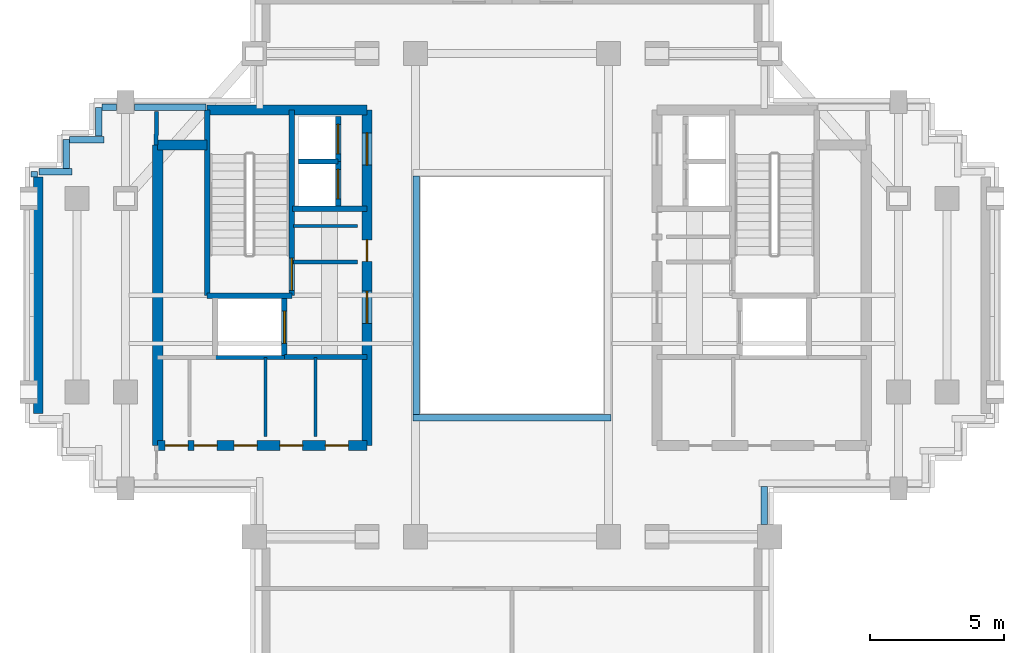
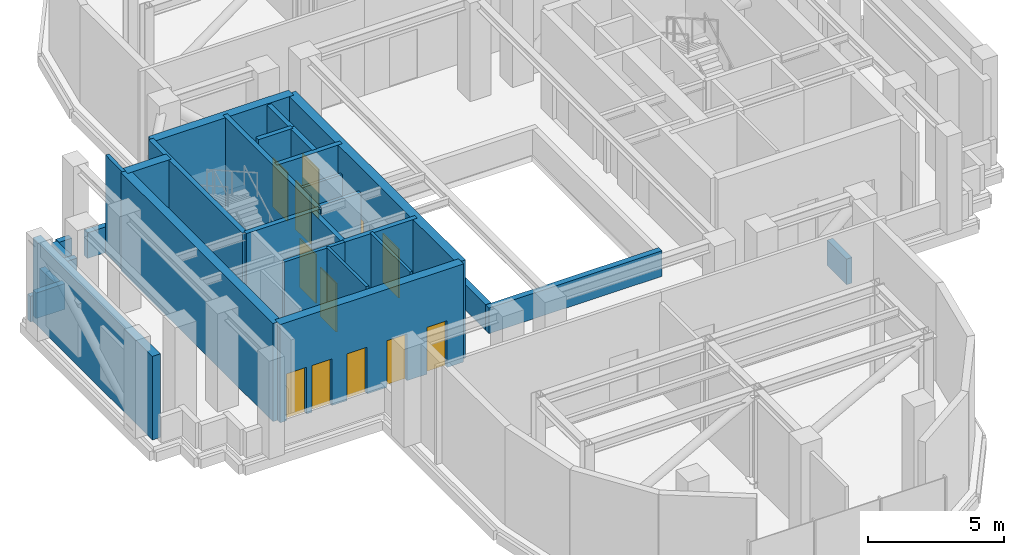
# One storey, part 6 of 11: 31 walls, 12 doors, 12 openings.
"""IFC4 building model written with IfcOpenShell, lengths in metres."""

from ifc_helpers import new_model, si_unit, direction, frame, frame_2d, origin, place, context, subcontext, project, spatial, rectangle, extrude, source, transform, mapped, material, layer, layer_set, type_object, element, fill, save


model = new_model("IFC4")

# Units and contexts
model_context = context("Model", 3, precision=1e-05, world=origin(), true_north=direction((0.0, 1.0)))
body_context = subcontext(model_context, "Body", "Model", "MODEL_VIEW")
ifc_project = project(units=[si_unit("LENGTHUNIT", "METRE"), si_unit("AREAUNIT", "SQUARE_METRE"), si_unit("VOLUMEUNIT", "CUBIC_METRE"), si_unit("PLANEANGLEUNIT", "RADIAN"), si_unit("MASSUNIT", "GRAM", prefix="KILO")], contexts=[model_context])

# Site, building, storey
site_placement = place(None, origin())
site = spatial("IfcSite", under=ifc_project, at=site_placement, CompositionType="ELEMENT")
building_placement = place(site_placement, origin())
building = spatial("IfcBuilding", under=site, at=building_placement, Name="Keilestroom Media Tower", CompositionType="ELEMENT")
storey_placement = place(building_placement, frame((0.0, 0.0, 214.800048828125)))
storey = spatial("IfcBuildingStorey", under=building, at=storey_placement, Name="L59", CompositionType="ELEMENT", Elevation=214.800048828125)

# Walls
ifc_material_1 = material(Name="Precast concrete C40/50", Category="concrete")
ifc_layer_1 = layer(ifc_material_1, 0.340087890625)
ifc_layer_set_1 = layer_set([ifc_layer_1], Name="Precast concrete C40/50")
wall_type_1 = type_object("IfcWallType", Name="Exterior-Masonry-Spandrel-Wall-340", PredefinedType="SOLIDWALL", material=ifc_layer_set_1)
wall_1_placement = place(storey_placement, frame((-17.64990234375, -4.39990234375, 0.0), z_axis=(0.0, 0.0, 1.0), x_axis=(0.0, 1.0, 0.0)))
element("IfcWall", 1, at=wall_1_placement, inside=storey, type_object=wall_type_1, Name="L59 Plant Masonry Screen Wall W", PredefinedType="SOLIDWALL", context=body_context, shape_type="SweptSolid", body=[
    extrude(rectangle(XDim=8.7998046875, YDim=0.340087890625, at=frame_2d((4.39990234375, 0.0))), origin(), (0.0, 0.0, 1.0), 3.760009765625),
])
ifc_material_2 = material(Name="Gypsum Plasterboard & Steel Stud", Category="steel")
ifc_layer_2 = layer(ifc_material_2, 0.1201171875)
ifc_layer_set_2 = layer_set([ifc_layer_2], Name="Gypsum Plasterboard & Steel Stud")
wall_type_2 = type_object("IfcWallType", Name="Interior-Partition-Wall-120", PredefinedType="PARTITIONING", material=ifc_layer_set_2)
wall_2_placement = place(storey_placement, frame((-8.139892578125, 2.580078125, 0.0), z_axis=(0.0, 0.0, 1.0), x_axis=(1.0, 0.0, 0.0)))
element("IfcWall", 2, at=wall_2_placement, inside=storey, type_object=wall_type_2, Name="L59 Interior Wall WP-L59-CNW-N", PredefinedType="PARTITIONING", context=body_context, shape_type="SweptSolid", body=[
    extrude(rectangle(XDim=2.389892578125, YDim=0.1201171875, at=frame_2d((1.19482421875, 0.0))), origin(), (0.0, 0.0, 1.0), 3.510009765625),
])
for number, where, z_axis, x_axis, name in (
    (3, (-9.179931640625, -5.260009765625, 0.0), (0.0, 0.0, 1.0), (0.0, 1.0, 0.0), "L59 Interior Wall WP-L59-RECMW-M1"),
    (4, (-7.320068359375, -5.260009765625, 0.0), (0.0, 0.0, 1.0), (0.0, 1.0, 0.0), "L59 Interior Wall WP-L59-RECMW-M2"),
):
    element("IfcWall", number, at=place(storey_placement, frame(where, z_axis=z_axis, x_axis=x_axis)), inside=storey, type_object=wall_type_2, Name=name, PredefinedType="PARTITIONING", context=body_context, shape_type="SweptSolid", body=[
        extrude(rectangle(XDim=2.93994140625, YDim=0.1201171875, at=frame_2d((1.469970703125, 0.0))), origin(), (0.0, 0.0, 1.0), 4.409912109375),
    ])
ifc_layer_3 = layer(ifc_material_2, 0.14990234375)
ifc_layer_set_3 = layer_set([ifc_layer_3], Name="Gypsum Plasterboard & Steel Stud")
wall_type_3 = type_object("IfcWallType", Name="Interior-Partition-Wall-150", PredefinedType="PARTITIONING", material=ifc_layer_set_3)
wall_3_placement = place(storey_placement, frame((-8.139892578125, 1.239990234375, 0.0), z_axis=(0.0, 0.0, 1.0), x_axis=(1.0, 0.0, 0.0)))
element("IfcWall", 5, at=wall_3_placement, inside=storey, type_object=wall_type_3, Name="L59 Interior Wall WP-L59-FFW-TOP", PredefinedType="PARTITIONING", context=body_context, shape_type="SweptSolid", body=[
    extrude(rectangle(XDim=2.389892578125, YDim=0.14990234375, at=frame_2d((1.19482421875, 0.0))), origin(), (0.0, 0.0, 1.0), 3.510009765625),
])
wall_4_placement = place(storey_placement, frame((-11.0400390625, -2.320068359375, 0.0), z_axis=(0.0, 0.0, 1.0), x_axis=(1.0, 0.0, 0.0)))
element("IfcWall", 6, at=wall_4_placement, inside=storey, type_object=wall_type_3, Name="L59 Interior Wall WP-L59-RECMW-N", PredefinedType="PARTITIONING", context=body_context, shape_type="SweptSolid", body=[
    extrude(rectangle(XDim=2.56005859375, YDim=0.14990234375, at=frame_2d((1.280029296875, 0.0))), origin(), (0.0, 0.0, 1.0), 4.409912109375),
])
wall_5_placement = place(storey_placement, frame((-13.260009765625, 5.60009765625, 0.0), z_axis=(0.0, 0.0, 1.0), x_axis=(0.016013571389, 0.999871774545, 0.0)))
element("IfcWall", 7, at=wall_5_placement, inside=storey, type_object=wall_type_3, Name="L59 Interior Wall WP-L59-REF-WNK", PredefinedType="PARTITIONING", context=body_context, shape_type="SweptSolid", body=[
    extrude(rectangle(XDim=1.250244140625, YDim=0.14990234375, at=frame_2d((0.625, 0.0))), origin(), (0.0, 0.0, 1.0), 4.409912109375),
])
ifc_material_3 = material(Name="Concrete C55/67", Category="concrete")
ifc_layer_4 = layer(ifc_material_3, 0.3798828125)
ifc_layer_set_4 = layer_set([ifc_layer_4], Name="Concrete C55/67")
wall_type_4 = type_object("IfcWallType", Name="Reinforced-Concrete-Core-Shear-Wall-380", PredefinedType="SHEAR", material=ifc_layer_set_4)
wall_6_placement = place(storey_placement, frame((-13.199951171875, -5.60009765625, 0.0), z_axis=(0.0, 0.0, 1.0), x_axis=(0.0, 1.0, 0.0)))
element("IfcWall", 8, at=wall_6_placement, inside=storey, type_object=wall_type_4, Name="L59 Core Shear Wall WL-L59-CORE-W-OUT", PredefinedType="SHEAR", context=body_context, shape_type="SweptSolid", body=[
    extrude(rectangle(XDim=11.2001953125, YDim=0.3798828125, at=frame_2d((5.60009765625, 0.0))), origin(), (0.0, 0.0, 1.0), 4.409912109375),
])

# Wall, openings, doors
wall_7_placement = place(storey_placement, frame((-5.39990234375, -5.60009765625, 0.0), z_axis=(0.0, 0.0, 1.0), x_axis=(0.0, 1.0, 0.0)))
wall_7 = element("IfcWall", 9, at=wall_7_placement, inside=storey, type_object=wall_type_4, Name="L59 Core Shear Wall WL-L59-CORE-W-IN", PredefinedType="SHEAR", context=body_context, shape_type="SweptSolid", body=[
    extrude(rectangle(XDim=12.5, YDim=0.3798828125, at=frame_2d((6.25, 0.0))), origin(), (0.0, 0.0, 1.0), 4.409912109375),
])
opening_1_placement = place(wall_7_placement, frame((4.550048828125, 0.0, 0.0)))
opening_1 = element("IfcOpeningElement", 10, at=opening_1_placement, cuts=wall_7, Name="Opening DI-02", PredefinedType="OPENING", context=body_context, shape_type="SweptSolid", body=[
    extrude(rectangle(XDim=1.199951171875, YDim=2.199951171875, at=frame_2d((0.60009765625, 1.10009765625))), frame((0.0, 0.199951171875, 0.0), z_axis=(0.0, -1.0, 0.0), x_axis=(1.0, 0.0, 0.0)), (0.0, 0.0, 1.0), 0.39990234375),
])
opening_2_placement = place(wall_7_placement, frame((10.449951171875, 0.0, 0.0)))
opening_2 = element("IfcOpeningElement", 11, at=opening_2_placement, cuts=wall_7, Name="Opening DI-02", PredefinedType="OPENING", context=body_context, shape_type="SweptSolid", body=[
    extrude(rectangle(XDim=1.199951171875, YDim=2.199951171875, at=frame_2d((0.60009765625, 1.10009765625))), frame((0.0, 0.199951171875, 0.0), z_axis=(0.0, -1.0, 0.0), x_axis=(1.0, 0.0, 0.0)), (0.0, 0.0, 1.0), 0.39990234375),
])
opening_3_placement = place(wall_7_placement, frame((6.860107421875, 0.0, 0.0)))
opening_3 = element("IfcOpeningElement", 12, at=opening_3_placement, cuts=wall_7, Name="Opening DI-06", PredefinedType="OPENING", context=body_context, shape_type="SweptSolid", body=[
    extrude(rectangle(XDim=0.800048828125, YDim=2.10009765625, at=frame_2d((0.39990234375, 1.050048828125))), frame((0.0, 0.199951171875, 0.0), z_axis=(0.0, -1.0, 0.0), x_axis=(1.0, 0.0, 0.0)), (0.0, 0.0, 1.0), 0.39990234375),
])
ifc_material_4 = material(Name="Powder-Coated Steel Fire Leaf", Category="steel")
door_type_1 = type_object("IfcDoorType", Name="Interior-Compartment-Fire-Door-DI-02", OperationType="NOTDEFINED", PredefinedType="DOOR", material=ifc_material_4)
shared_shape_1 = source(origin(), body_context, "Body", "SweptSolid", [
    extrude(rectangle(XDim=1.199951171875, YDim=2.199951171875, at=frame_2d((0.60009765625, 1.10009765625))), frame((0.0, 0.02490234375, 0.0), z_axis=(0.0, -1.0, 0.0), x_axis=(1.0, 0.0, 0.0)), (0.0, 0.0, 1.0), 0.050048828125),
])
door_1_placement = place(opening_1_placement, origin())
door_1 = element("IfcDoor", 13, at=door_1_placement, inside=storey, type_object=door_type_1, Name="L59 W Firefighting Lobby Door", OperationType="SINGLE_SWING_RIGHT", OverallHeight=2.199951171875, OverallWidth=1.199951171875, PredefinedType="DOOR", context=body_context, shape_type="MappedRepresentation", body=[
    mapped(shared_shape_1, transform((0.0, 0.0, 0.0), x_axis=(1.0, 0.0, 0.0), y_axis=(0.0, 1.0, 0.0), z_axis=(0.0, 0.0, 1.0), scale=1.0)),
])
fill(opening_1, door_1)
door_2_placement = place(opening_2_placement, origin())
door_2 = element("IfcDoor", 14, at=door_2_placement, inside=storey, type_object=door_type_1, Name="L59 W High-Rise Lift Lobby Door", OperationType="SINGLE_SWING_LEFT", OverallHeight=2.199951171875, OverallWidth=1.199951171875, PredefinedType="DOOR", context=body_context, shape_type="MappedRepresentation", body=[
    mapped(shared_shape_1, transform((0.0, 0.0, 0.0), x_axis=(1.0, 0.0, 0.0), y_axis=(0.0, 1.0, 0.0), z_axis=(0.0, 0.0, 1.0), scale=1.0)),
])
fill(opening_2, door_2)
ifc_material_5 = material(Name="Powder-Coated Steel Service Leaf", Category="steel")
door_type_2 = type_object("IfcDoorType", Name="Interior-Riser-Access-Door-DI-06", OperationType="NOTDEFINED", PredefinedType="DOOR", material=ifc_material_5)
shared_shape_2 = source(origin(), body_context, "Body", "SweptSolid", [
    extrude(rectangle(XDim=0.800048828125, YDim=2.10009765625, at=frame_2d((0.39990234375, 1.050048828125))), frame((0.0, 0.02490234375, 0.0), z_axis=(0.0, -1.0, 0.0), x_axis=(1.0, 0.0, 0.0)), (0.0, 0.0, 1.0), 0.050048828125),
])
door_3_placement = place(opening_3_placement, origin())
door_3 = element("IfcDoor", 15, at=door_3_placement, inside=storey, type_object=door_type_2, Name="L59 West Core Switchroom Door", OperationType="SINGLE_SWING_LEFT", OverallHeight=2.10009765625, OverallWidth=0.800048828125, PredefinedType="DOOR", context=body_context, shape_type="MappedRepresentation", body=[
    mapped(shared_shape_2, transform((0.0, 0.0, 0.0), x_axis=(1.0, 0.0, 0.0), y_axis=(0.0, 1.0, 0.0), z_axis=(0.0, 0.0, 1.0), scale=1.0)),
])
fill(opening_3, door_3)

# Walls
wall_8_placement = place(storey_placement, frame((-11.35595703125, 6.89990234375, 0.0), z_axis=(0.0, 0.0, 1.0), x_axis=(1.0, 0.0, 0.0)))
element("IfcWall", 16, at=wall_8_placement, inside=storey, type_object=wall_type_4, Name="L59 Core Shear Wall WL-L59-CORE-W-N", PredefinedType="SHEAR", context=body_context, shape_type="SweptSolid", body=[
    extrude(rectangle(XDim=5.9560546875, YDim=0.3798828125, at=frame_2d((2.97802734375, 0.0))), origin(), (0.0, 0.0, 1.0), 4.409912109375),
])
wall_9_placement = place(storey_placement, frame((-13.199951171875, 5.60009765625, 0.0), z_axis=(0.0, 0.0, 1.0), x_axis=(1.0, 0.0, 0.0)))
element("IfcWall", 17, at=wall_9_placement, inside=storey, type_object=wall_type_4, Name="L59 Core Shear Wall WL-L59-CNW-N", PredefinedType="SHEAR", context=body_context, shape_type="SweptSolid", body=[
    extrude(rectangle(XDim=1.843994140625, YDim=0.3798828125, at=frame_2d((0.921875, 0.0))), origin(), (0.0, 0.0, 1.0), 4.409912109375),
])

# Wall, openings, doors
wall_10_placement = place(storey_placement, frame((-13.199951171875, -5.60009765625, 0.0), z_axis=(0.0, 0.0, 1.0), x_axis=(1.0, 0.0, 0.0)))
wall_10 = element("IfcWall", 18, at=wall_10_placement, inside=storey, type_object=wall_type_4, Name="L59 Core Shear Wall WL-L59-CORE-W-S", PredefinedType="SHEAR", context=body_context, shape_type="SweptSolid", body=[
    extrude(rectangle(XDim=7.800048828125, YDim=0.3798828125, at=frame_2d((3.89990234375, 0.0))), origin(), (0.0, 0.0, 1.0), 4.409912109375),
])
opening_4_placement = place(wall_10_placement, frame((0.280029296875, 0.0, 0.0)))
opening_4 = element("IfcOpeningElement", 19, at=opening_4_placement, cuts=wall_10, Name="Opening DI-05", PredefinedType="OPENING", context=body_context, shape_type="SweptSolid", body=[
    extrude(rectangle(XDim=0.85009765625, YDim=2.10009765625, at=frame_2d((0.425048828125, 1.050048828125))), frame((0.0, 0.199951171875, 0.0), z_axis=(0.0, -1.0, 0.0), x_axis=(1.0, 0.0, 0.0)), (0.0, 0.0, 1.0), 0.39990234375),
])
opening_5_placement = place(wall_10_placement, frame((1.360107421875, 0.0, 0.0)))
opening_5 = element("IfcOpeningElement", 20, at=opening_5_placement, cuts=wall_10, Name="Opening DI-05", PredefinedType="OPENING", context=body_context, shape_type="SweptSolid", body=[
    extrude(rectangle(XDim=0.85009765625, YDim=2.10009765625, at=frame_2d((0.425048828125, 1.050048828125))), frame((0.0, 0.199951171875, 0.0), z_axis=(0.0, -1.0, 0.0), x_axis=(1.0, 0.0, 0.0)), (0.0, 0.0, 1.0), 0.39990234375),
])
opening_6_placement = place(wall_10_placement, frame((2.85009765625, 0.0, 0.0)))
opening_6 = element("IfcOpeningElement", 21, at=opening_6_placement, cuts=wall_10, Name="Opening DI-05", PredefinedType="OPENING", context=body_context, shape_type="SweptSolid", body=[
    extrude(rectangle(XDim=0.85009765625, YDim=2.10009765625, at=frame_2d((0.425048828125, 1.050048828125))), frame((0.0, 0.199951171875, 0.0), z_axis=(0.0, -1.0, 0.0), x_axis=(1.0, 0.0, 0.0)), (0.0, 0.0, 1.0), 0.39990234375),
])
opening_7_placement = place(wall_10_placement, frame((4.550048828125, 0.0, 0.0)))
opening_7 = element("IfcOpeningElement", 22, at=opening_7_placement, cuts=wall_10, Name="Opening DI-05", PredefinedType="OPENING", context=body_context, shape_type="SweptSolid", body=[
    extrude(rectangle(XDim=0.85009765625, YDim=2.10009765625, at=frame_2d((0.425048828125, 1.050048828125))), frame((0.0, 0.199951171875, 0.0), z_axis=(0.0, -1.0, 0.0), x_axis=(1.0, 0.0, 0.0)), (0.0, 0.0, 1.0), 0.39990234375),
])
opening_8_placement = place(wall_10_placement, frame((6.25, 0.0, 0.0)))
opening_8 = element("IfcOpeningElement", 23, at=opening_8_placement, cuts=wall_10, Name="Opening DI-05", PredefinedType="OPENING", context=body_context, shape_type="SweptSolid", body=[
    extrude(rectangle(XDim=0.85009765625, YDim=2.10009765625, at=frame_2d((0.425048828125, 1.050048828125))), frame((0.0, 0.199951171875, 0.0), z_axis=(0.0, -1.0, 0.0), x_axis=(1.0, 0.0, 0.0)), (0.0, 0.0, 1.0), 0.39990234375),
])
ifc_material_6 = material(Name="Moisture-Resistant Oak Leaf", Category="wood")
door_type_3 = type_object("IfcDoorType", Name="Interior-En-Suite-And-Cupboard-Door-DI-05", OperationType="NOTDEFINED", PredefinedType="DOOR", material=ifc_material_6)
shared_shape_3 = source(origin(), body_context, "Body", "SweptSolid", [
    extrude(rectangle(XDim=0.85009765625, YDim=2.10009765625, at=frame_2d((0.425048828125, 1.050048828125))), frame((0.0, 0.02490234375, 0.0), z_axis=(0.0, -1.0, 0.0), x_axis=(1.0, 0.0, 0.0)), (0.0, 0.0, 1.0), 0.050048828125),
])
door_4_placement = place(opening_4_placement, origin())
door_4 = element("IfcDoor", 24, at=door_4_placement, inside=storey, type_object=door_type_3, Name="L59 Reclaimed West Closet 1 Door", OperationType="SINGLE_SWING_LEFT", OverallHeight=2.10009765625, OverallWidth=0.85009765625, PredefinedType="DOOR", context=body_context, shape_type="MappedRepresentation", body=[
    mapped(shared_shape_3, transform((0.0, 0.0, 0.0), x_axis=(1.0, 0.0, 0.0), y_axis=(0.0, 1.0, 0.0), z_axis=(0.0, 0.0, 1.0), scale=1.0)),
])
fill(opening_4, door_4)
door_5_placement = place(opening_5_placement, origin())
door_5 = element("IfcDoor", 25, at=door_5_placement, inside=storey, type_object=door_type_3, Name="L59 Reclaimed West Closet 2 Door", OperationType="SINGLE_SWING_RIGHT", OverallHeight=2.10009765625, OverallWidth=0.85009765625, PredefinedType="DOOR", context=body_context, shape_type="MappedRepresentation", body=[
    mapped(shared_shape_3, transform((0.0, 0.0, 0.0), x_axis=(1.0, 0.0, 0.0), y_axis=(0.0, 1.0, 0.0), z_axis=(0.0, 0.0, 1.0), scale=1.0)),
])
fill(opening_5, door_5)
door_6_placement = place(opening_6_placement, origin())
door_6 = element("IfcDoor", 26, at=door_6_placement, inside=storey, type_object=door_type_3, Name="L59 Reclaimed Mid West Room 1 Door", OperationType="SINGLE_SWING_LEFT", OverallHeight=2.10009765625, OverallWidth=0.85009765625, PredefinedType="DOOR", context=body_context, shape_type="MappedRepresentation", body=[
    mapped(shared_shape_3, transform((0.0, 0.0, 0.0), x_axis=(1.0, 0.0, 0.0), y_axis=(0.0, 1.0, 0.0), z_axis=(0.0, 0.0, 1.0), scale=1.0)),
])
fill(opening_6, door_6)
door_7_placement = place(opening_7_placement, origin())
door_7 = element("IfcDoor", 27, at=door_7_placement, inside=storey, type_object=door_type_3, Name="L59 Reclaimed Mid West Room 2 Door", OperationType="SINGLE_SWING_LEFT", OverallHeight=2.10009765625, OverallWidth=0.85009765625, PredefinedType="DOOR", context=body_context, shape_type="MappedRepresentation", body=[
    mapped(shared_shape_3, transform((0.0, 0.0, 0.0), x_axis=(1.0, 0.0, 0.0), y_axis=(0.0, 1.0, 0.0), z_axis=(0.0, 0.0, 1.0), scale=1.0)),
])
fill(opening_7, door_7)
door_8_placement = place(opening_8_placement, origin())
door_8 = element("IfcDoor", 28, at=door_8_placement, inside=storey, type_object=door_type_3, Name="L59 Reclaimed Mid West Room 3 Door", OperationType="SINGLE_SWING_RIGHT", OverallHeight=2.10009765625, OverallWidth=0.85009765625, PredefinedType="DOOR", context=body_context, shape_type="MappedRepresentation", body=[
    mapped(shared_shape_3, transform((0.0, 0.0, 0.0), x_axis=(1.0, 0.0, 0.0), y_axis=(0.0, 1.0, 0.0), z_axis=(0.0, 0.0, 1.0), scale=1.0)),
])
fill(opening_8, door_8)

# Walls
ifc_material_7 = material(Name="Concrete C50/60", Category="concrete")
ifc_layer_5 = layer(ifc_material_7, 0.199951171875)
ifc_layer_set_5 = layer_set([ifc_layer_5], Name="Concrete C50/60")
wall_type_5 = type_object("IfcWallType", Name="Reinforced-Concrete-Shaft-Wall-200", PredefinedType="SOLIDWALL", material=ifc_layer_set_5)
wall_11_placement = place(storey_placement, frame((-8.179931640625, 3.219970703125, 0.0), z_axis=(0.0, 0.0, 1.0), x_axis=(1.0, 0.0, 0.0)))
element("IfcWall", 29, at=wall_11_placement, inside=storey, type_object=wall_type_5, Name="L59 Core Shear Wall WL-L59-CORE-W-FFN", PredefinedType="SOLIDWALL", context=body_context, shape_type="SweptSolid", body=[
    extrude(rectangle(XDim=2.780029296875, YDim=0.199951171875, at=frame_2d((1.39013671875, 0.0))), origin(), (0.0, 0.0, 1.0), 4.409912109375),
])
wall_12_placement = place(storey_placement, frame((-8.47998046875, -2.300048828125, 0.0), z_axis=(0.0, 0.0, 1.0), x_axis=(1.0, 0.0, 0.0)))
element("IfcWall", 30, at=wall_12_placement, inside=storey, type_object=wall_type_5, Name="L59 Core Shear Wall WL-L59-CORE-W-FFS", PredefinedType="SOLIDWALL", context=body_context, shape_type="SweptSolid", body=[
    extrude(rectangle(XDim=3.080078125, YDim=0.199951171875, at=frame_2d((1.5400390625, 0.0))), origin(), (0.0, 0.0, 1.0), 4.409912109375),
])

# Wall, opening, door
wall_13_placement = place(storey_placement, frame((-8.2041015625, -0.01611328125, 0.0), z_axis=(0.0, 0.0, 1.0), x_axis=(0.0, 1.0, 0.0)))
wall_13 = element("IfcWall", 31, at=wall_13_placement, inside=storey, type_object=wall_type_5, Name="L59 Core Shear Wall WL-L59-STW-W-NEAR", PredefinedType="SOLIDWALL", context=body_context, shape_type="SweptSolid", body=[
    extrude(rectangle(XDim=6.916015625, YDim=0.199951171875, at=frame_2d((3.4580078125, 0.0))), origin(), (0.0, 0.0, 1.0), 4.409912109375),
])
opening_9_placement = place(wall_13_placement, frame((0.199951171875, 0.0, 0.0)))
opening_9 = element("IfcOpeningElement", 32, at=opening_9_placement, cuts=wall_13, Name="Opening DI-01S", PredefinedType="OPENING", context=body_context, shape_type="SweptSolid", body=[
    extrude(rectangle(XDim=1.199951171875, YDim=2.199951171875, at=frame_2d((0.60009765625, 1.10009765625))), frame((0.0, 0.10986328125, 0.0), z_axis=(0.0, -1.0, 0.0), x_axis=(1.0, 0.0, 0.0)), (0.0, 0.0, 1.0), 0.219970703125),
])
door_type_4 = type_object("IfcDoorType", Name="Interior-Stair-And-Core-Fire-Door-DI-01", OperationType="NOTDEFINED", PredefinedType="DOOR", material=ifc_material_4)
door_9_placement = place(opening_9_placement, origin())
door_9 = element("IfcDoor", 33, at=door_9_placement, inside=storey, type_object=door_type_4, Name="L59 Escape Stair ST-1 Fire Door", OperationType="SINGLE_SWING_LEFT", OverallHeight=2.199951171875, OverallWidth=1.199951171875, PredefinedType="DOOR", context=body_context, shape_type="MappedRepresentation", body=[
    mapped(shared_shape_1, transform((0.0, 0.0, 0.0), x_axis=(1.0, 0.0, 0.0), y_axis=(0.0, 1.0, 0.0), z_axis=(0.0, 0.0, 1.0), scale=1.0)),
])
fill(opening_9, door_9)

# Walls
wall_14_placement = place(storey_placement, frame((-11.35595703125, -0.01611328125, 0.0), z_axis=(0.0, 0.0, 1.0), x_axis=(0.0, 1.0, 0.0)))
element("IfcWall", 34, at=wall_14_placement, inside=storey, type_object=wall_type_5, Name="L59 Core Shear Wall WL-L59-STW-W-FAR", PredefinedType="SOLIDWALL", context=body_context, shape_type="SweptSolid", body=[
    extrude(rectangle(XDim=6.916015625, YDim=0.199951171875, at=frame_2d((3.4580078125, 0.0))), origin(), (0.0, 0.0, 1.0), 4.409912109375),
])
wall_15_placement = place(storey_placement, frame((-11.35595703125, -0.01611328125, 0.0), z_axis=(0.0, 0.0, 1.0), x_axis=(1.0, 0.0, 0.0)))
element("IfcWall", 35, at=wall_15_placement, inside=storey, type_object=wall_type_5, Name="L59 Core Shear Wall WL-L59-STW-W-S", PredefinedType="SOLIDWALL", context=body_context, shape_type="SweptSolid", body=[
    extrude(rectangle(XDim=3.15185546875, YDim=0.199951171875, at=frame_2d((1.575927734375, 0.0))), origin(), (0.0, 0.0, 1.0), 4.409912109375),
])

# Wall, opening, door
wall_16_placement = place(storey_placement, frame((-8.47998046875, -2.280029296875, 0.0), z_axis=(0.0, 0.0, 1.0), x_axis=(0.0, 1.0, 0.0)))
wall_16 = element("IfcWall", 36, at=wall_16_placement, inside=storey, type_object=wall_type_5, Name="L59 Core Shear Wall WL-L59-LSH-FFL-1-E", PredefinedType="SOLIDWALL", context=body_context, shape_type="SweptSolid", body=[
    extrude(rectangle(XDim=2.179931640625, YDim=0.199951171875, at=frame_2d((1.08984375, 0.0))), origin(), (0.0, 0.0, 1.0), 4.409912109375),
])
opening_10_placement = place(wall_16_placement, frame((0.489990234375, 0.0, 0.0)))
opening_10 = element("IfcOpeningElement", 37, at=opening_10_placement, cuts=wall_16, Name="Opening LD-02", PredefinedType="OPENING", context=body_context, shape_type="SweptSolid", body=[
    extrude(rectangle(XDim=1.199951171875, YDim=2.199951171875, at=frame_2d((0.60009765625, 1.10009765625))), frame((0.0, 0.10986328125, 0.0), z_axis=(0.0, -1.0, 0.0), x_axis=(1.0, 0.0, 0.0)), (0.0, 0.0, 1.0), 0.219970703125),
])
ifc_material_8 = material(Name="Brushed Stainless Steel Sliding Leaf", Category="steel")
door_type_5 = type_object("IfcDoorType", Name="Lift-Landing-Sliding-Door-LD-02", OperationType="SLIDING_TO_RIGHT", PredefinedType="DOOR", material=ifc_material_8)
door_10_placement = place(opening_10_placement, origin())
door_10 = element("IfcDoor", 38, at=door_10_placement, inside=storey, type_object=door_type_5, Name="L59 Lift FFL-1 Landing Sliding Door", OperationType="SLIDING_TO_RIGHT", OverallHeight=2.199951171875, OverallWidth=1.199951171875, PredefinedType="DOOR", context=body_context, shape_type="MappedRepresentation", body=[
    mapped(shared_shape_1, transform((0.0, 0.0, 0.0), x_axis=(1.0, 0.0, 0.0), y_axis=(0.0, 1.0, 0.0), z_axis=(0.0, 0.0, 1.0), scale=1.0)),
])
fill(opening_10, door_10)

wall_17_placement = place(storey_placement, frame((-6.47998046875, 3.300048828125, 0.0), z_axis=(0.0, 0.0, 1.0), x_axis=(0.0, 1.0, 0.0)))
wall_17 = element("IfcWall", 39, at=wall_17_placement, inside=storey, type_object=wall_type_5, Name="L59 Core Shear Wall WL-L59-LSH-PL-H1-E", PredefinedType="SOLIDWALL", context=body_context, shape_type="SweptSolid", body=[
    extrude(rectangle(XDim=1.679931640625, YDim=0.199951171875, at=frame_2d((0.83984375, 0.0))), origin(), (0.0, 0.0, 1.0), 4.409912109375),
])
opening_11_placement = place(wall_17_placement, frame((0.2900390625, 0.0, 0.0)))
opening_11 = element("IfcOpeningElement", 40, at=opening_11_placement, cuts=wall_17, Name="Opening LD-01", PredefinedType="OPENING", context=body_context, shape_type="SweptSolid", body=[
    extrude(rectangle(XDim=1.10009765625, YDim=2.199951171875, at=frame_2d((0.550048828125, 1.10009765625))), frame((0.0, 0.10986328125, 0.0), z_axis=(0.0, -1.0, 0.0), x_axis=(1.0, 0.0, 0.0)), (0.0, 0.0, 1.0), 0.219970703125),
])
door_type_6 = type_object("IfcDoorType", Name="Lift-Landing-Sliding-Door-LD-01", OperationType="SLIDING_TO_LEFT", PredefinedType="DOOR", material=ifc_material_8)
shared_shape_4 = source(origin(), body_context, "Body", "SweptSolid", [
    extrude(rectangle(XDim=1.10009765625, YDim=2.199951171875, at=frame_2d((0.550048828125, 1.10009765625))), frame((0.0, 0.02490234375, 0.0), z_axis=(0.0, -1.0, 0.0), x_axis=(1.0, 0.0, 0.0)), (0.0, 0.0, 1.0), 0.050048828125),
])
door_11_placement = place(opening_11_placement, origin())
door_11 = element("IfcDoor", 41, at=door_11_placement, inside=storey, type_object=door_type_6, Name="L59 Lift PL-H1 Landing Sliding Door", OperationType="SLIDING_TO_LEFT", OverallHeight=2.199951171875, OverallWidth=1.10009765625, PredefinedType="DOOR", context=body_context, shape_type="MappedRepresentation", body=[
    mapped(shared_shape_4, transform((0.0, 0.0, 0.0), x_axis=(1.0, 0.0, 0.0), y_axis=(0.0, 1.0, 0.0), z_axis=(0.0, 0.0, 1.0), scale=1.0)),
])
fill(opening_11, door_11)

# Wall
wall_18_placement = place(storey_placement, frame((-7.949951171875, 4.97998046875, 0.0), z_axis=(0.0, 0.0, 1.0), x_axis=(1.0, 0.0, 0.0)))
element("IfcWall", 42, at=wall_18_placement, inside=storey, type_object=wall_type_5, Name="L59 Core Shear Wall WL-L59-LSH-PL-H1-N", PredefinedType="SOLIDWALL", context=body_context, shape_type="SweptSolid", body=[
    extrude(rectangle(XDim=1.469970703125, YDim=0.199951171875, at=frame_2d((0.73486328125, 0.0))), origin(), (0.0, 0.0, 1.0), 4.409912109375),
])

# Wall, opening, door
wall_19_placement = place(storey_placement, frame((-6.47998046875, 4.97998046875, 0.0), z_axis=(0.0, 0.0, 1.0), x_axis=(0.0, 1.0, 0.0)))
wall_19 = element("IfcWall", 43, at=wall_19_placement, inside=storey, type_object=wall_type_5, Name="L59 Core Shear Wall WL-L59-LSH-PL-H2-E", PredefinedType="SOLIDWALL", context=body_context, shape_type="SweptSolid", body=[
    extrude(rectangle(XDim=1.669921875, YDim=0.199951171875, at=frame_2d((0.8349609375, 0.0))), origin(), (0.0, 0.0, 1.0), 4.409912109375),
])
opening_12_placement = place(wall_19_placement, frame((0.284912109375, 0.0, 0.0)))
opening_12 = element("IfcOpeningElement", 44, at=opening_12_placement, cuts=wall_19, Name="Opening LD-01", PredefinedType="OPENING", context=body_context, shape_type="SweptSolid", body=[
    extrude(rectangle(XDim=1.10009765625, YDim=2.199951171875, at=frame_2d((0.550048828125, 1.10009765625))), frame((0.0, 0.10986328125, 0.0), z_axis=(0.0, -1.0, 0.0), x_axis=(1.0, 0.0, 0.0)), (0.0, 0.0, 1.0), 0.219970703125),
])
door_12_placement = place(opening_12_placement, origin())
door_12 = element("IfcDoor", 45, at=door_12_placement, inside=storey, type_object=door_type_6, Name="L59 Lift PL-H2 Landing Sliding Door", OperationType="SLIDING_TO_LEFT", OverallHeight=2.199951171875, OverallWidth=1.10009765625, PredefinedType="DOOR", context=body_context, shape_type="MappedRepresentation", body=[
    mapped(shared_shape_4, transform((0.0, 0.0, 0.0), x_axis=(1.0, 0.0, 0.0), y_axis=(0.0, 1.0, 0.0), z_axis=(0.0, 0.0, 1.0), scale=1.0)),
])
fill(opening_12, door_12)

# Walls
ifc_layer_6 = layer(ifc_material_1, 0.239990234375)
ifc_layer_set_6 = layer_set([ifc_layer_6], Name="Precast concrete C40/50")
wall_type_6 = type_object("IfcWallType", Name="Roof-And-Terrace-Parapet-Wall-240", PredefinedType="PARAPET", material=ifc_layer_set_6)
wall_20_placement = place(storey_placement, frame((9.39990234375, -7.123046875, 0.0), z_axis=(0.0, 0.0, 1.0), x_axis=(0.0, -1.0, 0.0)))
element("IfcWall", 46, at=wall_20_placement, inside=storey, type_object=wall_type_6, Name="L59 Perimeter Edge Parapet Wall 07", PredefinedType="PARAPET", context=body_context, shape_type="SweptSolid", body=[
    extrude(rectangle(XDim=1.424072265625, YDim=0.239990234375, at=frame_2d((0.7119140625, 0.0))), origin(), (0.0, 0.0, 1.0), 1.14990234375),
])
wall_21_placement = place(storey_placement, frame((-17.800048828125, 4.403076171875, 0.0), z_axis=(0.0, 0.0, 1.0), x_axis=(0.0, 1.0, 0.0)))
element("IfcWall", 47, at=wall_21_placement, inside=storey, type_object=wall_type_6, Name="L59 Perimeter Edge Parapet Wall 15", PredefinedType="PARAPET", context=body_context, shape_type="SweptSolid", body=[
    extrude(rectangle(XDim=0.197021484375, YDim=0.239990234375, at=frame_2d((0.0986328125, 0.0))), origin(), (0.0, 0.0, 1.0), 1.14990234375),
])
wall_22_placement = place(storey_placement, frame((-17.62890625, 4.60009765625, 0.0), z_axis=(0.0, 0.0, 1.0), x_axis=(1.0, 0.0, 0.0)))
element("IfcWall", 48, at=wall_22_placement, inside=storey, type_object=wall_type_6, Name="L59 Perimeter Edge Parapet Wall 16", PredefinedType="PARAPET", context=body_context, shape_type="SweptSolid", body=[
    extrude(rectangle(XDim=1.22900390625, YDim=0.239990234375, at=frame_2d((0.614501953125, 0.0))), origin(), (0.0, 0.0, 1.0), 1.14990234375),
])
wall_23_placement = place(storey_placement, frame((-16.60009765625, 4.722900390625, 0.0), z_axis=(0.0, 0.0, 1.0), x_axis=(0.0, 1.0, 0.0)))
element("IfcWall", 49, at=wall_23_placement, inside=storey, type_object=wall_type_6, Name="L59 Perimeter Edge Parapet Wall 17", PredefinedType="PARAPET", context=body_context, shape_type="SweptSolid", body=[
    extrude(rectangle(XDim=1.0771484375, YDim=0.239990234375, at=frame_2d((0.53857421875, 0.0))), origin(), (0.0, 0.0, 1.0), 1.14990234375),
])
wall_24_placement = place(storey_placement, frame((-16.47705078125, 5.800048828125, 0.0), z_axis=(0.0, 0.0, 1.0), x_axis=(1.0, 0.0, 0.0)))
element("IfcWall", 50, at=wall_24_placement, inside=storey, type_object=wall_type_6, Name="L59 Perimeter Edge Parapet Wall 18", PredefinedType="PARAPET", context=body_context, shape_type="SweptSolid", body=[
    extrude(rectangle(XDim=1.277099609375, YDim=0.239990234375, at=frame_2d((0.638671875, 0.0))), origin(), (0.0, 0.0, 1.0), 1.14990234375),
])
wall_25_placement = place(storey_placement, frame((-15.39990234375, 5.923095703125, 0.0), z_axis=(0.0, 0.0, 1.0), x_axis=(0.0, 1.0, 0.0)))
element("IfcWall", 51, at=wall_25_placement, inside=storey, type_object=wall_type_6, Name="L59 Perimeter Edge Parapet Wall 19", PredefinedType="PARAPET", context=body_context, shape_type="SweptSolid", body=[
    extrude(rectangle(XDim=1.076904296875, YDim=0.239990234375, at=frame_2d((0.53857421875, 0.0))), origin(), (0.0, 0.0, 1.0), 1.14990234375),
])
wall_26_placement = place(storey_placement, frame((-15.277099609375, 7.0, 0.0), z_axis=(0.0, 0.0, 1.0), x_axis=(1.0, 0.0, 0.0)))
element("IfcWall", 52, at=wall_26_placement, inside=storey, type_object=wall_type_6, Name="L59 Perimeter Edge Parapet Wall 20", PredefinedType="PARAPET", context=body_context, shape_type="SweptSolid", body=[
    extrude(rectangle(XDim=0.549072265625, YDim=0.239990234375, at=frame_2d((0.2744140625, 0.0))), origin(), (0.0, 0.0, 1.0), 1.14990234375),
])
wall_27_placement = place(storey_placement, frame((-14.072021484375, 7.0, 0.0), z_axis=(0.0, 0.0, 1.0), x_axis=(1.0, 0.0, 0.0)))
element("IfcWall", 53, at=wall_27_placement, inside=storey, type_object=wall_type_6, Name="L59 Perimeter Edge Parapet Wall 21", PredefinedType="PARAPET", context=body_context, shape_type="SweptSolid", body=[
    extrude(rectangle(XDim=2.6689453125, YDim=0.239990234375, at=frame_2d((1.33447265625, 0.0))), origin(), (0.0, 0.0, 1.0), 1.14990234375),
])
wall_28_placement = place(storey_placement, frame((-3.679931640625, -4.56005859375, 0.0), z_axis=(0.0, 0.0, 1.0), x_axis=(1.0, 0.0, 0.0)))
element("IfcWall", 54, at=wall_28_placement, inside=storey, type_object=wall_type_6, Name="L59 Central Atrium Guard Parapet S", PredefinedType="PARAPET", context=body_context, shape_type="SweptSolid", body=[
    extrude(rectangle(XDim=7.35986328125, YDim=0.239990234375, at=frame_2d((3.679931640625, 0.0))), origin(), (0.0, 0.0, 1.0), 1.14990234375),
])
wall_29_placement = place(storey_placement, frame((-3.56005859375, -4.43505859375, 0.0), z_axis=(0.0, 0.0, 1.0), x_axis=(0.0, 1.0, 0.0)))
element("IfcWall", 55, at=wall_29_placement, inside=storey, type_object=wall_type_6, Name="L59 Central Atrium Guard Parapet W", PredefinedType="PARAPET", context=body_context, shape_type="SweptSolid", body=[
    extrude(rectangle(XDim=8.8701171875, YDim=0.239990234375, at=frame_2d((4.43505859375, 0.0))), origin(), (0.0, 0.0, 1.0), 1.14990234375),
])

save(model, "model.ifc")
